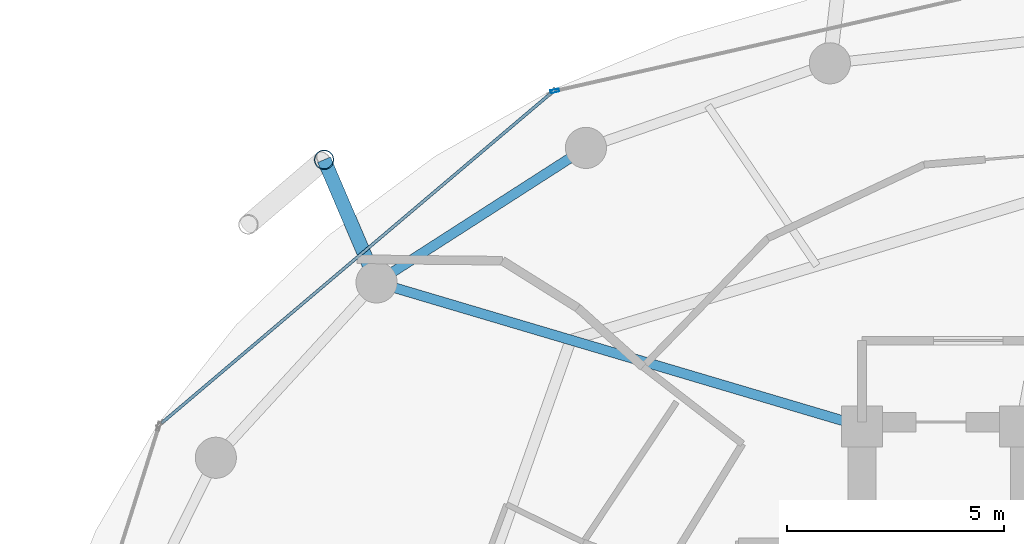
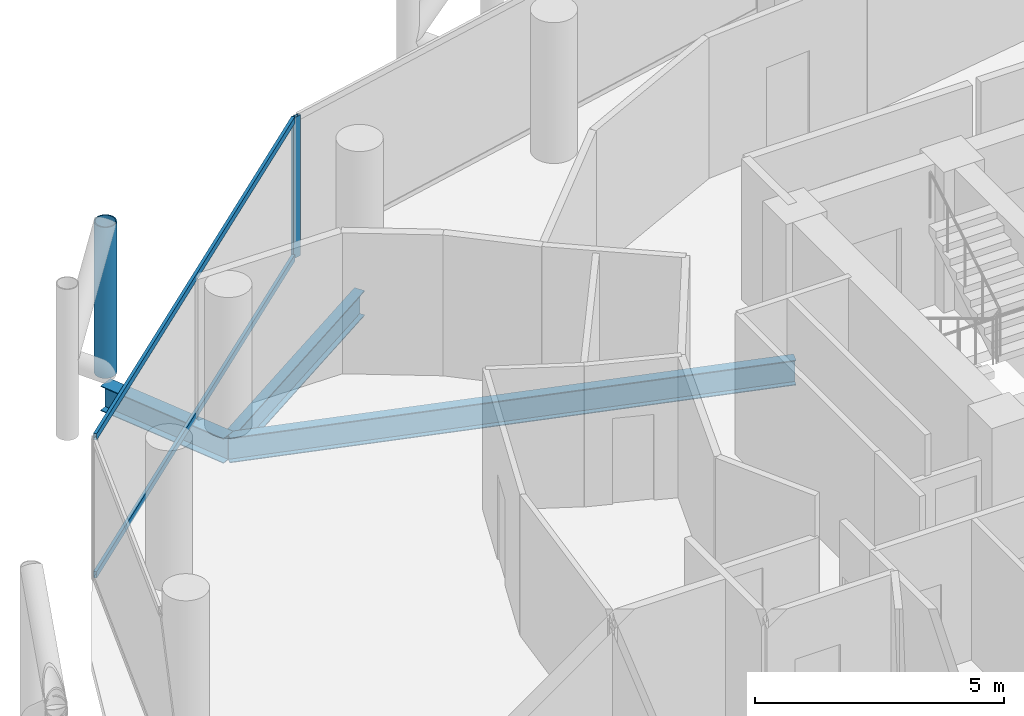
# One storey, part 14 of 26: 4 members, 3 beams, 2 elements without a shape of their own.
"""IFC4 building model written with IfcOpenShell, lengths in metres."""

from ifc_helpers import new_model, si_unit, direction, frame, origin, origin_2d, place, context, subcontext, project, spatial, hollow_rectangle, hollow_circle, i_section, extrude, material, layer, layer_set, material_profile, profile_set, type_object, element, aggregate, save


model = new_model("IFC4")

# Units and contexts
model_context = context("Model", 3, precision=1e-05, world=origin(), true_north=direction((0.0, 1.0)))
body_context = subcontext(model_context, "Body", "Model", "MODEL_VIEW")
ifc_project = project(units=[si_unit("LENGTHUNIT", "METRE"), si_unit("AREAUNIT", "SQUARE_METRE"), si_unit("VOLUMEUNIT", "CUBIC_METRE"), si_unit("PLANEANGLEUNIT", "RADIAN"), si_unit("MASSUNIT", "GRAM", prefix="KILO")], contexts=[model_context])

# Site, building, storey
site_placement = place(None, origin())
site = spatial("IfcSite", under=ifc_project, at=site_placement, CompositionType="ELEMENT")
building_placement = place(site_placement, origin())
building = spatial("IfcBuilding", under=site, at=building_placement, Name="Nuhasar Tower", CompositionType="ELEMENT")
storey_placement = place(building_placement, frame((0.0, 0.0, 181.14990234375)))
storey = spatial("IfcBuildingStorey", under=building, at=storey_placement, Name="L44", CompositionType="ELEMENT", Elevation=181.14990234375)

# Beams
ifc_material_1 = material(Name="Steel S355", Category="steel")
ifc_material_profile_1 = material_profile(ifc_material_1, i_section(OverallWidth=0.22900390625, OverallDepth=0.612060546875, WebThickness=0.011962890625, FlangeThickness=0.01953125, at=origin_2d()), Name="W24X84")
ifc_profile_set_1 = profile_set([ifc_material_profile_1], Name="Steel S355")
beam_type_1 = type_object("IfcBeamType", Name="BM-RAD-W24X84", PredefinedType="BEAM", material=ifc_profile_set_1)
beam_1_placement = place(storey_placement, frame((33.699951171875, 37.300048828125, -0.555908203125), z_axis=(-0.958746492721, 0.284262489076, 0.0), x_axis=(-0.284262489076, -0.958746492721, 0.0)))
element("IfcBeam", 1, at=beam_1_placement, inside=storey, type_object=beam_type_1, Name="L44 Radial Floor Girder 07", PredefinedType="BEAM", context=body_context, shape_type="SweptSolid", body=[
    extrude(i_section(OverallWidth=0.22900390625, OverallDepth=0.612060546875, WebThickness=0.011962890625, FlangeThickness=0.01953125, at=origin_2d()), origin(), (0.0, 0.0, 1.0), 11.693359375),
])
ifc_material_profile_2 = material_profile(ifc_material_1, i_section(OverallWidth=0.22998046875, OverallDepth=0.616943359375, WebThickness=0.01318359375, FlangeThickness=0.022216796875, at=origin_2d()), Name="W24X94")
ifc_profile_set_2 = profile_set([ifc_material_profile_2], Name="Steel S355")
beam_type_2 = type_object("IfcBeamType", Name="BM-RING-W24X94", PredefinedType="SPANDREL", material=ifc_profile_set_2)
beam_2_placement = place(storey_placement, frame((27.324951171875, 43.73095703125, -0.558837890625), z_axis=(-0.841327486207, -0.540525726448, 0.0), x_axis=(0.540525726448, -0.841327486207, 0.0)))
element("IfcBeam", 2, at=beam_2_placement, inside=storey, type_object=beam_type_2, Name="L44 Perimeter Ring Spandrel 09", PredefinedType="SPANDREL", context=body_context, shape_type="SweptSolid", body=[
    extrude(i_section(OverallWidth=0.22998046875, OverallDepth=0.616943359375, WebThickness=0.01318359375, FlangeThickness=0.022216796875, at=origin_2d()), origin(), (0.0, 0.0, 1.0), 5.748046875),
])
ifc_material_profile_3 = material_profile(ifc_material_1, i_section(OverallWidth=0.323974609375, OverallDepth=0.611083984375, WebThickness=0.0126953125, FlangeThickness=0.01904296875, at=origin_2d()), Name="W24X104")
ifc_profile_set_3 = profile_set([ifc_material_profile_3], Name="Steel S355")
beam_type_3 = type_object("IfcBeamType", Name="BM-TIE-W24X104", PredefinedType="BEAM", material=ifc_profile_set_3)
beam_3_placement = place(storey_placement, frame((22.489013671875, 40.6240234375, -0.554931640625), z_axis=(-0.39330721304, 0.919407111225, 0.0), x_axis=(-0.919407111225, -0.39330721304, 0.0)))
element("IfcBeam", 3, at=beam_3_placement, inside=storey, type_object=beam_type_3, Name="L44 Exoskeleton Node Tie Beam 05", PredefinedType="BEAM", context=body_context, shape_type="SweptSolid", body=[
    extrude(i_section(OverallWidth=0.323974609375, OverallDepth=0.611083984375, WebThickness=0.0126953125, FlangeThickness=0.01904296875, at=origin_2d()), origin(), (0.0, 0.0, 1.0), 3.081298828125),
])

# Curtain wall, member
ifc_material_2 = material(Name="Aluminium 6063-T6", Category="aluminium")
ifc_layer = layer(ifc_material_2, 0.199951171875)
ifc_layer_set = layer_set([ifc_layer], Name="Aluminium 6063-T6")
curtain_wall_type = type_object("IfcCurtainWallType", Name="CW-Z2-HTL", PredefinedType="NOTDEFINED", material=ifc_layer_set)
curtain_wall_1_placement = place(storey_placement, origin())
curtain_wall_1 = element("IfcCurtainWall", 4, at=curtain_wall_1_placement, inside=storey, type_object=curtain_wall_type, Name="L44 Unitised Curtain Wall 04", PredefinedType="NOTDEFINED")
ifc_material_profile_4 = material_profile(ifc_material_2, hollow_rectangle(XDim=0.070068359375, YDim=0.199951171875, WallThickness=0.0048828125, at=origin_2d()), Name="CWM-3")
ifc_profile_set_4 = profile_set([ifc_material_profile_4], Name="Aluminium 6063-T6")
member_type_1 = type_object("IfcMemberType", Name="CW-MUL-S3", PredefinedType="MULLION", material=ifc_profile_set_4)
member_1_placement = place(storey_placement, frame((26.604248046875, 45.045654296875, 0.0), z_axis=(0.0, 0.0, 1.0), x_axis=(0.22139729566, -0.975183694221, 0.0)))
member_1 = element("IfcMember", 5, at=member_1_placement, type_object=member_type_1, Name="CW-Z2 mullion 2", PredefinedType="MULLION", context=body_context, shape_type="SweptSolid", body=[
    extrude(hollow_rectangle(XDim=0.070068359375, YDim=0.199951171875, WallThickness=0.0048828125, at=origin_2d()), origin(), (0.0, 0.0, 1.0), 3.4501953125),
])
aggregate(curtain_wall_1, [member_1])

# Curtain wall, members
curtain_wall_2_placement = place(storey_placement, origin())
curtain_wall_2 = element("IfcCurtainWall", 6, at=curtain_wall_2_placement, inside=storey, type_object=curtain_wall_type, Name="L44 Unitised Curtain Wall 05", PredefinedType="NOTDEFINED")
ifc_material_profile_5 = material_profile(ifc_material_2, hollow_rectangle(XDim=0.070068359375, YDim=0.159912109375, WallThickness=0.00439453125, at=origin_2d()), Name="CWT-3")
ifc_profile_set_5 = profile_set([ifc_material_profile_5], Name="Aluminium 6063-T6")
member_type_2 = type_object("IfcMemberType", Name="CW-TRN-S3", PredefinedType="USERDEFINED", material=ifc_profile_set_5)
member_2_placement = place(storey_placement, frame((26.5166015625, 44.99267578125, 0.03515625), z_axis=(-0.763023915269, -0.646370253592, 0.0), x_axis=(0.646370253592, -0.763023915269, 0.0)))
member_2 = element("IfcMember", 7, at=member_2_placement, type_object=member_type_2, Name="CW-Z2 transom 1.1", ObjectType="TRANSOM", PredefinedType="USERDEFINED", context=body_context, shape_type="SweptSolid", body=[
    extrude(hollow_rectangle(XDim=0.070068359375, YDim=0.159912109375, WallThickness=0.00439453125, at=origin_2d()), origin(), (0.0, 0.0, 1.0), 11.784912109375),
])
member_3_placement = place(storey_placement, frame((26.5166015625, 44.99267578125, 3.4150390625), z_axis=(-0.763023915269, -0.646370253592, 0.0), x_axis=(0.646370253592, -0.763023915269, 0.0)))
member_3 = element("IfcMember", 8, at=member_3_placement, type_object=member_type_2, Name="CW-Z2 transom 1.2", ObjectType="TRANSOM", PredefinedType="USERDEFINED", context=body_context, shape_type="SweptSolid", body=[
    extrude(hollow_rectangle(XDim=0.070068359375, YDim=0.159912109375, WallThickness=0.00439453125, at=origin_2d()), origin(), (0.0, 0.0, 1.0), 11.784912109375),
])
aggregate(curtain_wall_2, [member_2, member_3])

# Member
ifc_material_3 = material(Name="Steel S460", Category="steel")
ifc_material_profile_6 = material_profile(ifc_material_3, hollow_circle(Radius=0.228515625, WallThickness=0.022216796875, at=origin_2d()), Name="HSS457X22.2")
ifc_profile_set_6 = profile_set([ifc_material_profile_6], Name="Steel S460")
member_type_3 = type_object("IfcMemberType", Name="EXO-BRONZE-457", PredefinedType="BRACE", material=ifc_profile_set_6)
member_4_placement = place(storey_placement, frame((21.277099609375, 43.45703125, 0.0), z_axis=(0.0, 0.0, 1.0), x_axis=(1.0, 0.0, 0.0)))
element("IfcMember", 9, at=member_4_placement, inside=storey, type_object=member_type_3, Name="L44 Exoskeleton Chord Column EC-05A", PredefinedType="BRACE", context=body_context, shape_type="SweptSolid", body=[
    extrude(hollow_circle(Radius=0.228515625, WallThickness=0.022216796875, at=origin_2d()), origin(), (0.0, 0.0, 1.0), 3.7001953125),
])

save(model, "model.ifc")
